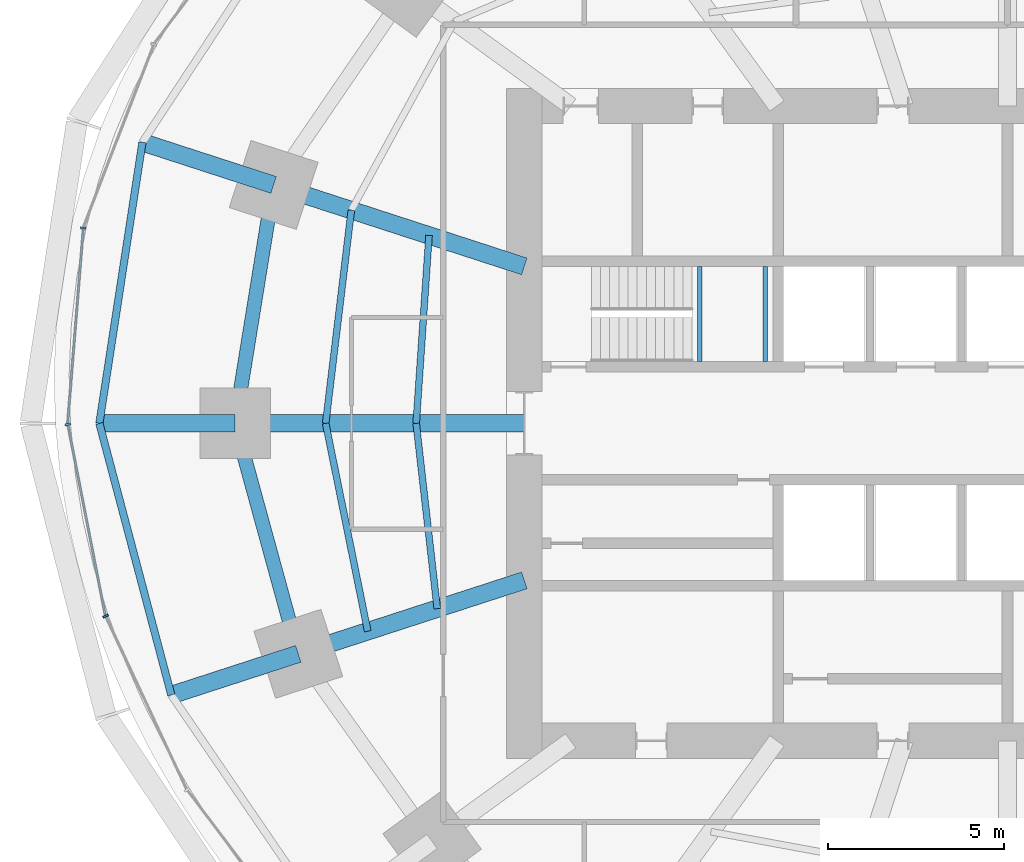
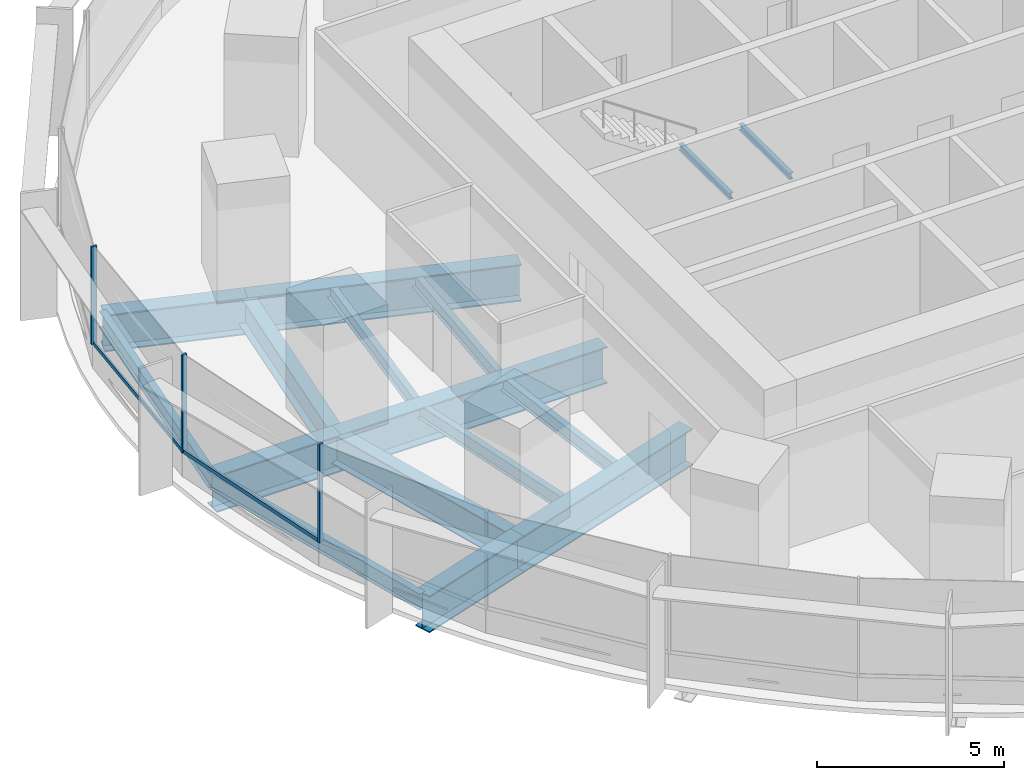
# One storey, part 4 of 15: 16 beams, 5 members, 2 elements without a shape of their own.
"""IFC4 building model written with IfcOpenShell, lengths in metres."""

import ifcopenshell
import ifcopenshell.guid

model = None  # the IFC model being written
_history = None  # IfcOwnerHistory: only IFC2X3 demands one
_inside = {}  # id of a spatial element -> (the spatial element, [elements in it])
_under = {}  # id of a project, library or spatial element -> (it, [spatial elements below it])
_declared = {}  # id of a project -> (the project, [libraries it declares])
_typed = {}  # id of a type object -> (the type object, [elements of that type])
_made_of = {}  # id of a material, layer set ... -> (it, [elements and type objects made of it])


def new_model(schema):
    """Start an empty IFC model of exactly this schema.

    Asked for "IFC4X3", IfcOpenShell would pick the latest addendum, in which some entities
    have other attributes; the version numbers below select the first issue.
    IFC2X3 requires an IfcOwnerHistory on every rooted entity: one is made here for all.
    """
    global model, _history
    if schema == "IFC4X3":
        model = ifcopenshell.file(schema_version=(4, 3, 0, 0))
    else:
        model = ifcopenshell.file(schema=schema)
    _inside.clear()
    _under.clear()
    _declared.clear()
    _typed.clear()
    _made_of.clear()
    _history = None
    if model.schema == "IFC2X3":
        org = make("IfcOrganization", Name="unknown")
        user = make(
            "IfcPersonAndOrganization",
            ThePerson=make("IfcPerson", FamilyName="unknown"),
            TheOrganization=org,
        )
        app = make(
            "IfcApplication",
            ApplicationDeveloper=org,
            Version="unknown",
            ApplicationFullName="unknown",
            ApplicationIdentifier="unknown",
        )
        _history = make(
            "IfcOwnerHistory",
            OwningUser=user,
            OwningApplication=app,
            ChangeAction="ADDED",
            CreationDate=0,
        )
    return model


def make(cls, **values):
    """One entity of the class cls with the attributes given. An attribute that is None is left unset."""
    return model.create_entity(
        cls, **{name: value for name, value in values.items() if value is not None}
    )


def rooted(cls, **values):
    """An entity with a GlobalId (a new one), such as an element, a storey or a relation."""
    return make(cls, GlobalId=ifcopenshell.guid.new(), OwnerHistory=_history, **values)


def si_unit(unit_type, name, prefix=None):
    """IfcSIUnit, for example si_unit("LENGTHUNIT", "METRE", prefix="MILLI")."""
    return make("IfcSIUnit", UnitType=unit_type, Prefix=prefix, Name=name)


def assignment(units):
    """IfcUnitAssignment: the units of a project."""
    return None if units is None else make("IfcUnitAssignment", Units=units)


def point(xyz):
    """IfcCartesianPoint."""
    return None if xyz is None else make("IfcCartesianPoint", Coordinates=xyz)


def direction(xyz):
    """IfcDirection."""
    return None if xyz is None else make("IfcDirection", DirectionRatios=xyz)


def frame(location, z_axis=None, x_axis=None):
    """IfcAxis2Placement3D, a coordinate frame: its origin and axes. An axis left out is left unset."""
    return make(
        "IfcAxis2Placement3D",
        Location=point(location),
        Axis=direction(z_axis),
        RefDirection=direction(x_axis),
    )


def frame_2d(location, x_axis=None):
    """IfcAxis2Placement2D, a coordinate frame in the plane: its origin and x axis."""
    return make(
        "IfcAxis2Placement2D", Location=point(location), RefDirection=direction(x_axis)
    )


def origin():
    """The frame at (0, 0, 0) with its axes left unset."""
    return frame((0.0, 0.0, 0.0))


def origin_2d():
    """The frame at (0, 0) in the plane with its x axis left unset."""
    return frame_2d((0.0, 0.0))


def place(relative_to, where):
    """IfcLocalPlacement: puts the frame where relative to a parent placement (None: the world)."""
    return make(
        "IfcLocalPlacement", PlacementRelTo=relative_to, RelativePlacement=where
    )


def context(
    kind, dimensions, precision=None, world=None, true_north=None, identifier=None
):
    """IfcGeometricRepresentationContext, for example the 3D "Model" context."""
    return make(
        "IfcGeometricRepresentationContext",
        ContextIdentifier=identifier,
        ContextType=kind,
        CoordinateSpaceDimension=dimensions,
        Precision=precision,
        WorldCoordinateSystem=world,
        TrueNorth=true_north,
    )


def subcontext(parent, identifier, kind, view, scale=None):
    """IfcGeometricRepresentationSubContext, for example "Body" below "Model"."""
    return make(
        "IfcGeometricRepresentationSubContext",
        ContextIdentifier=identifier,
        ContextType=kind,
        ParentContext=parent,
        TargetScale=scale,
        TargetView=view,
    )


def project(units=None, contexts=None):
    """IfcProject with its units and contexts."""
    return rooted(
        "IfcProject",
        Name="project",
        RepresentationContexts=contexts,
        UnitsInContext=assignment(units),
    )


def spatial(cls, under=None, at=None, **own):
    """A site, building, storey or space (cls), placed at a placement, below another one or the project."""
    s = rooted(cls, ObjectPlacement=at, **own)
    if under is not None:
        _under.setdefault(under.id(), (under, []))[1].append(s)
    return s


def profile(cls, at=None, kind="AREA", **sizes):
    """A parametric profile (cls). Its sizes go by their IFC names, for example OverallWidth=200.0."""
    return make(cls, ProfileType=kind, Position=at, **sizes)


def rectangle(**sizes):
    """IfcRectangleProfileDef."""
    return profile("IfcRectangleProfileDef", **sizes)


def i_section(**sizes):
    """IfcIShapeProfileDef."""
    return profile("IfcIShapeProfileDef", **sizes)


def extrude(swept, where, along, depth):
    """IfcExtrudedAreaSolid: the profile swept, set in the frame where, extruded along a direction by depth."""
    return make(
        "IfcExtrudedAreaSolid",
        SweptArea=swept,
        Position=where,
        ExtrudedDirection=direction(along),
        Depth=depth,
    )


def shape(context_of_items, identifier, shape_type, items):
    """IfcShapeRepresentation: the items that make up one representation, for example the "Body"."""
    return make(
        "IfcShapeRepresentation",
        ContextOfItems=context_of_items,
        RepresentationIdentifier=identifier,
        RepresentationType=shape_type,
        Items=items,
    )


def material(Name=None, Category=None):
    """IfcMaterial."""
    return make("IfcMaterial", Name=Name, Category=Category)


def material_profile(
    of_material, cross_section, Name=None, Category=None, Priority=None
):
    """IfcMaterialProfile: a cross section and its material."""
    return make(
        "IfcMaterialProfile",
        Name=Name,
        Material=of_material,
        Profile=cross_section,
        Priority=Priority,
        Category=Category,
    )


def profile_set(profiles, Name=None, composite=None):
    """IfcMaterialProfileSet."""
    return make(
        "IfcMaterialProfileSet",
        Name=Name,
        MaterialProfiles=profiles,
        CompositeProfile=composite,
    )


def made_of(thing, what):
    """Note that an element or type object is made of a material, layer set ...; save() writes the relation."""
    if what is not None:
        _made_of.setdefault(what.id(), (what, []))[1].append(thing)
    return thing


def type_object(cls, material=None, **own):
    """A type object (cls), such as IfcWallType, which elements share."""
    return made_of(rooted(cls, **own), material)


def element(
    cls,
    number,
    at=None,
    inside=None,
    cuts=None,
    type_object=None,
    material=None,
    context=None,
    identifier="Body",
    shape_type=None,
    held_by="IfcProductDefinitionShape",
    body=None,
    shapes=None,
    **own,
):
    """One element of the class cls, such as IfcWall. Its Tag is "e" and its number.

    at: its placement. inside: the storey or other place that contains it. cuts: it is an
    opening in that element (IfcRelVoidsElement). A single representation is given by context,
    identifier, shape_type and body (its items); several are given by shapes. held_by: the class
    of the entity that holds the representations. save() writes the other relations.
    """
    e = rooted(cls, Tag="e%d" % number, ObjectPlacement=at, **own)
    if body is not None:
        shapes = [shape(context, identifier, shape_type, body)]
    if shapes is not None:
        e.Representation = make(held_by, Representations=shapes)
    if inside is not None:
        _inside.setdefault(inside.id(), (inside, []))[1].append(e)
    if cuts is not None:
        rooted(
            "IfcRelVoidsElement", RelatingBuildingElement=cuts, RelatedOpeningElement=e
        )
    if type_object is not None:
        _typed.setdefault(type_object.id(), (type_object, []))[1].append(e)
    return made_of(e, material)


def aggregate(whole, parts):
    """IfcRelAggregates: a whole, such as a stair, and the parts it consists of."""
    return rooted("IfcRelAggregates", RelatingObject=whole, RelatedObjects=parts)


def save(model, path):
    """Write the relations noted so far, then the file.

    IfcRelAggregates (storeys below a building ...), IfcRelContainedInSpatialStructure (elements
    in a storey), IfcRelDefinesByType, IfcRelAssociatesMaterial and IfcRelDeclares: one each for
    every whole, place, type object, material and project.
    """
    for whole, parts in _under.values():
        aggregate(whole, parts)
    for where, things in _inside.values():
        rooted(
            "IfcRelContainedInSpatialStructure",
            RelatedElements=things,
            RelatingStructure=where,
        )
    for kind, things in _typed.values():
        rooted("IfcRelDefinesByType", RelatedObjects=things, RelatingType=kind)
    for what, things in _made_of.values():
        rooted("IfcRelAssociatesMaterial", RelatedObjects=things, RelatingMaterial=what)
    for by, libraries in _declared.values():
        rooted("IfcRelDeclares", RelatingContext=by, RelatedDefinitions=libraries)
    model.write(path)


model = new_model("IFC4")

# Units and contexts
model_context = context("Model", 3, precision=1e-05, world=origin(), true_north=direction((0.0, 1.0)))
body_context = subcontext(model_context, "Body", "Model", "MODEL_VIEW")
ifc_project = project(units=[si_unit("LENGTHUNIT", "METRE"), si_unit("AREAUNIT", "SQUARE_METRE"), si_unit("VOLUMEUNIT", "CUBIC_METRE"), si_unit("PLANEANGLEUNIT", "RADIAN"), si_unit("MASSUNIT", "GRAM", prefix="KILO")], contexts=[model_context])

# Site, building, storey
site_placement = place(None, origin())
site = spatial("IfcSite", under=ifc_project, at=site_placement, CompositionType="ELEMENT")
building_placement = place(site_placement, origin())
building = spatial("IfcBuilding", under=site, at=building_placement, Name="Marramba Exchange Tower", CompositionType="ELEMENT")
storey_placement = place(building_placement, frame((0.0, 0.0, 82.60009765625)))
storey = spatial("IfcBuildingStorey", under=building, at=storey_placement, Name="L19", CompositionType="ELEMENT", Elevation=82.60009765625)

# Beams
ifc_material_1 = material(Name="Steel AS/NZS 3679.2 grade 300", Category="steel")
ifc_material_profile_1 = material_profile(ifc_material_1, i_section(OverallWidth=0.5, OverallDepth=1.199951171875, WebThickness=0.01611328125, FlangeThickness=0.0400390625, at=origin_2d()), Name="1200WB455")
ifc_profile_set_1 = profile_set([ifc_material_profile_1], Name="Steel AS/NZS 3679.2 grade 300")
beam_type_1 = type_object("IfcBeamType", Name="Cantilever girder 1200WB455", PredefinedType="BEAM", material=ifc_profile_set_1)
beam_1_placement = place(storey_placement, frame((-20.808349609375, 6.760986328125, -0.760009765625), z_axis=(-0.951058833549, 0.309009862508, 0.0), x_axis=(-0.309009862508, -0.951058833549, 0.0)))
element("IfcBeam", 1, at=beam_1_placement, inside=storey, type_object=beam_type_1, Name="Cantilever girder L19 TC10", PredefinedType="BEAM", context=body_context, shape_type="SweptSolid", body=[
    extrude(i_section(OverallWidth=0.5, OverallDepth=1.199951171875, WebThickness=0.01611328125, FlangeThickness=0.0400390625, at=origin_2d()), origin(), (0.0, 0.0, 1.0), 3.91162109375),
])
beam_2_placement = place(storey_placement, frame((-21.89990234375, 0.0, -0.760009765625), z_axis=(-1.0, 0.0, 0.0), x_axis=(0.0, -1.0, 0.0)))
element("IfcBeam", 2, at=beam_2_placement, inside=storey, type_object=beam_type_1, Name="Cantilever girder L19 TC11", PredefinedType="BEAM", context=body_context, shape_type="SweptSolid", body=[
    extrude(i_section(OverallWidth=0.5, OverallDepth=1.199951171875, WebThickness=0.01611328125, FlangeThickness=0.0400390625, at=origin_2d()), origin(), (0.0, 0.0, 1.0), 3.85009765625),
])
beam_3_placement = place(storey_placement, frame((-20.109375, -6.533935546875, -0.760009765625), z_axis=(-0.951048759501, -0.309040866314, 0.0), x_axis=(0.309040866314, -0.951048759501, 0.0)))
element("IfcBeam", 3, at=beam_3_placement, inside=storey, type_object=beam_type_1, Name="Cantilever girder L19 TC12", PredefinedType="BEAM", context=body_context, shape_type="SweptSolid", body=[
    extrude(i_section(OverallWidth=0.5, OverallDepth=1.199951171875, WebThickness=0.01611328125, FlangeThickness=0.0400390625, at=origin_2d()), origin(), (0.0, 0.0, 1.0), 3.78564453125),
])
ifc_material_2 = material(Name="Steel AS/NZS 3679.1 grade 300", Category="steel")
ifc_material_profile_2 = material_profile(ifc_material_2, i_section(OverallWidth=0.18994140625, OverallDepth=0.4541015625, WebThickness=0.008544921875, FlangeThickness=0.0126953125, FilletRadius=0.011474609375, at=origin_2d()), Name="460UB67.1")
ifc_profile_set_2 = profile_set([ifc_material_profile_2], Name="Steel AS/NZS 3679.1 grade 300")
beam_type_2 = type_object("IfcBeamType", Name="Floor joist 460UB67.1", PredefinedType="JOIST", material=ifc_profile_set_2)
beam_4_placement = place(storey_placement, frame((-16.40283203125, 5.32958984375, -0.38720703125), z_axis=(-0.068096259546, -0.99767875563, 0.0), x_axis=(0.99767875563, -0.068096259546, 0.0)))
element("IfcBeam", 4, at=beam_4_placement, inside=storey, type_object=beam_type_2, Name="Joist L19 bay 10 row 1", PredefinedType="JOIST", context=body_context, shape_type="SweptSolid", body=[
    extrude(i_section(OverallWidth=0.18994140625, OverallDepth=0.4541015625, WebThickness=0.008544921875, FlangeThickness=0.0126953125, FilletRadius=0.011474609375, at=origin_2d()), origin(), (0.0, 0.0, 1.0), 5.342041015625),
])
beam_5_placement = place(storey_placement, frame((-18.60546875, 6.04541015625, -0.38720703125), z_axis=(-0.119523078538, -0.992831422597, 0.0), x_axis=(0.992831422597, -0.119523078538, 0.0)))
element("IfcBeam", 5, at=beam_5_placement, inside=storey, type_object=beam_type_2, Name="Joist L19 bay 10 row 2", PredefinedType="JOIST", context=body_context, shape_type="SweptSolid", body=[
    extrude(i_section(OverallWidth=0.18994140625, OverallDepth=0.4541015625, WebThickness=0.008544921875, FlangeThickness=0.0126953125, FilletRadius=0.011474609375, at=origin_2d()), origin(), (0.0, 0.0, 1.0), 6.089111328125),
])
beam_6_placement = place(storey_placement, frame((-16.7666015625, 0.0, -0.38720703125), z_axis=(0.112888968594, -0.993607609054, 0.0), x_axis=(0.993607609054, 0.112888968594, 0.0)))
element("IfcBeam", 6, at=beam_6_placement, inside=storey, type_object=beam_type_2, Name="Joist L19 bay 11 row 1", PredefinedType="JOIST", context=body_context, shape_type="SweptSolid", body=[
    extrude(i_section(OverallWidth=0.18994140625, OverallDepth=0.4541015625, WebThickness=0.008544921875, FlangeThickness=0.0126953125, FilletRadius=0.011474609375, at=origin_2d()), origin(), (0.0, 0.0, 1.0), 5.28759765625),
])
beam_7_placement = place(storey_placement, frame((-19.333251953125, 0.0, -0.38720703125), z_axis=(0.198489047047, -0.980103105904, 0.0), x_axis=(0.980103105904, 0.198489047047, 0.0)))
element("IfcBeam", 7, at=beam_7_placement, inside=storey, type_object=beam_type_2, Name="Joist L19 bay 11 row 2", PredefinedType="JOIST", context=body_context, shape_type="SweptSolid", body=[
    extrude(i_section(OverallWidth=0.18994140625, OverallDepth=0.4541015625, WebThickness=0.008544921875, FlangeThickness=0.0126953125, FilletRadius=0.011474609375, at=origin_2d()), origin(), (0.0, 0.0, 1.0), 6.013427734375),
])
ifc_material_profile_3 = material_profile(ifc_material_1, i_section(OverallWidth=0.5, OverallDepth=1.199951171875, WebThickness=0.01611328125, FlangeThickness=0.0400390625, at=origin_2d()), Name="1200WB455")
ifc_profile_set_3 = profile_set([ifc_material_profile_3], Name="Steel AS/NZS 3679.2 grade 300")
beam_type_3 = type_object("IfcBeamType", Name="Radial girder 1200WB455", PredefinedType="BEAM", material=ifc_profile_set_3)
beam_8_placement = place(storey_placement, frame((-13.699951171875, 4.451416015625, -0.760009765625), z_axis=(-0.951059990189, 0.309006302624, 0.0), x_axis=(-0.309006302624, -0.951059990189, 0.0)))
element("IfcBeam", 8, at=beam_8_placement, inside=storey, type_object=beam_type_3, Name="Radial girder L19 TC10", PredefinedType="BEAM", context=body_context, shape_type="SweptSolid", body=[
    extrude(i_section(OverallWidth=0.5, OverallDepth=1.199951171875, WebThickness=0.01611328125, FlangeThickness=0.0400390625, at=origin_2d()), origin(), (0.0, 0.0, 1.0), 7.47412109375),
])
beam_9_placement = place(storey_placement, frame((-13.699951171875, 0.0, -0.760009765625), z_axis=(-1.0, 0.0, 0.0), x_axis=(0.0, -1.0, 0.0)))
element("IfcBeam", 9, at=beam_9_placement, inside=storey, type_object=beam_type_3, Name="Radial girder L19 TC11", PredefinedType="BEAM", context=body_context, shape_type="SweptSolid", body=[
    extrude(i_section(OverallWidth=0.5, OverallDepth=1.199951171875, WebThickness=0.01611328125, FlangeThickness=0.0400390625, at=origin_2d()), origin(), (0.0, 0.0, 1.0), 8.199951171875),
])
beam_10_placement = place(storey_placement, frame((-13.699951171875, -4.451416015625, -0.760009765625), z_axis=(-0.951057759669, -0.309013167637, 0.0), x_axis=(0.309013167637, -0.951057759669, 0.0)))
element("IfcBeam", 10, at=beam_10_placement, inside=storey, type_object=beam_type_3, Name="Radial girder L19 TC12", PredefinedType="BEAM", context=body_context, shape_type="SweptSolid", body=[
    extrude(i_section(OverallWidth=0.5, OverallDepth=1.199951171875, WebThickness=0.01611328125, FlangeThickness=0.0400390625, at=origin_2d()), origin(), (0.0, 0.0, 1.0), 6.7392578125),
])
ifc_material_profile_4 = material_profile(ifc_material_1, i_section(OverallWidth=0.39990234375, OverallDepth=1.0, WebThickness=0.01611328125, FlangeThickness=0.031982421875, at=origin_2d()), Name="1000WB322")
ifc_profile_set_4 = profile_set([ifc_material_profile_4], Name="Steel AS/NZS 3679.2 grade 300")
beam_type_4 = type_object("IfcBeamType", Name="Ring beam 1000WB322", PredefinedType="SPANDREL", material=ifc_profile_set_4)
beam_11_placement = place(storey_placement, frame((-20.808349609375, 6.760986328125, -0.66015625), z_axis=(-0.159384865399, -0.987216523708, 0.0), x_axis=(0.987216523708, -0.159384865399, 0.0)))
element("IfcBeam", 11, at=beam_11_placement, inside=storey, type_object=beam_type_4, Name="Ring beam L19 TC10-TC11", PredefinedType="SPANDREL", context=body_context, shape_type="SweptSolid", body=[
    extrude(i_section(OverallWidth=0.39990234375, OverallDepth=1.0, WebThickness=0.01611328125, FlangeThickness=0.031982421875, at=origin_2d()), origin(), (0.0, 0.0, 1.0), 6.8486328125),
])
beam_12_placement = place(storey_placement, frame((-21.89990234375, 0.0, -0.66015625), z_axis=(0.264291166956, -0.964442937176, 0.0), x_axis=(0.964442937176, 0.264291166956, 0.0)))
element("IfcBeam", 12, at=beam_12_placement, inside=storey, type_object=beam_type_4, Name="Ring beam L19 TC11-TC12", PredefinedType="SPANDREL", context=body_context, shape_type="SweptSolid", body=[
    extrude(i_section(OverallWidth=0.39990234375, OverallDepth=1.0, WebThickness=0.01611328125, FlangeThickness=0.031982421875, at=origin_2d()), origin(), (0.0, 0.0, 1.0), 6.77490234375),
])
ifc_material_profile_5 = material_profile(ifc_material_2, i_section(OverallWidth=0.208984375, OverallDepth=0.528076171875, WebThickness=0.009521484375, FlangeThickness=0.01318359375, FilletRadius=0.013916015625, at=origin_2d()), Name="530UB82.0")
ifc_profile_set_5 = profile_set([ifc_material_profile_5], Name="Steel AS/NZS 3679.1 grade 300")
beam_type_5 = type_object("IfcBeamType", Name="Slab edge beam 530UB82.0", PredefinedType="SPANDREL", material=ifc_profile_set_5)
beam_13_placement = place(storey_placement, frame((-24.528564453125, 7.9697265625, -0.424072265625), z_axis=(-0.151490591645, -0.988458699513, 0.0), x_axis=(0.988458699513, -0.151490591645, 0.0)))
element("IfcBeam", 13, at=beam_13_placement, inside=storey, type_object=beam_type_5, Name="Slab edge beam L19 TC10-TC11", PredefinedType="SPANDREL", context=body_context, shape_type="SweptSolid", body=[
    extrude(i_section(OverallWidth=0.208984375, OverallDepth=0.528076171875, WebThickness=0.009521484375, FlangeThickness=0.01318359375, FilletRadius=0.013916015625, at=origin_2d()), origin(), (0.0, 0.0, 1.0), 8.062744140625),
])
beam_14_placement = place(storey_placement, frame((-25.75, 0.0, -0.424072265625), z_axis=(0.25601296674, -0.966673347549, 0.0), x_axis=(0.966673347549, 0.25601296674, 0.0)))
element("IfcBeam", 14, at=beam_14_placement, inside=storey, type_object=beam_type_5, Name="Slab edge beam L19 TC11-TC12", PredefinedType="SPANDREL", context=body_context, shape_type="SweptSolid", body=[
    extrude(i_section(OverallWidth=0.208984375, OverallDepth=0.528076171875, WebThickness=0.009521484375, FlangeThickness=0.01318359375, FilletRadius=0.013916015625, at=origin_2d()), origin(), (0.0, 0.0, 1.0), 7.969482421875),
])
ifc_material_profile_6 = material_profile(ifc_material_2, i_section(OverallWidth=0.133056640625, OverallDepth=0.202880859375, WebThickness=0.005859375, FlangeThickness=0.0078125, FilletRadius=0.0087890625, at=origin_2d()), Name="200UB25.4")
ifc_profile_set_6 = profile_set([ifc_material_profile_6], Name="Steel AS/NZS 3679.1 grade 300")
beam_type_6 = type_object("IfcBeamType", Name="Stair landing beam 200UB25.4", PredefinedType="BEAM", material=ifc_profile_set_6)
for number, where, z_axis, x_axis, name in (
    (15, (-8.723388671875, 1.75, 1.79833984375), (0.0, 1.0, 0.0), (-1.0, 0.0, 0.0), "Stair landing beam SLB1 ST1 L19 1"),
    (16, (-6.866455078125, 1.75, 1.79833984375), (0.0, 1.0, 0.0), (-1.0, 0.0, 0.0), "Stair landing beam SLB1 ST1 L19 2"),
):
    element("IfcBeam", number, at=place(storey_placement, frame(where, z_axis=z_axis, x_axis=x_axis)), inside=storey, type_object=beam_type_6, Name=name, PredefinedType="BEAM", context=body_context, shape_type="SweptSolid", body=[
        extrude(i_section(OverallWidth=0.133056640625, OverallDepth=0.202880859375, WebThickness=0.005859375, FlangeThickness=0.0078125, FilletRadius=0.0087890625, at=origin_2d()), origin(), (0.0, 0.0, 1.0), 2.699951171875),
    ])

# Curtain wall, member
ifc_material_3 = material(Name="Aluminium framing, bronze anodised", Category="aluminium")
curtain_wall_type = type_object("IfcCurtainWallType", Name="Trading floor ribbon curtain wall", PredefinedType="USERDEFINED", material=ifc_material_3)
curtain_wall_1_placement = place(storey_placement, origin())
curtain_wall_1 = element("IfcCurtainWall", 17, at=curtain_wall_1_placement, inside=storey, type_object=curtain_wall_type, Name="Curtain wall CW3 L19 F11-F15", ObjectType="RIBBON CURTAIN WALL", PredefinedType="USERDEFINED")
ifc_material_4 = material(Name="Aluminium mullion, bronze anodised", Category="aluminium")
ifc_material_profile_7 = material_profile(ifc_material_4, rectangle(XDim=0.159912109375, YDim=0.06005859375, at=origin_2d()), Name="CW3 mullion 60x160")
ifc_profile_set_7 = profile_set([ifc_material_profile_7], Name="Aluminium mullion, bronze anodised")
member_type_1 = type_object("IfcMemberType", Name="Trading floor ribbon curtain wall mullion", PredefinedType="MULLION", material=ifc_profile_set_7)
member_1_placement = place(storey_placement, frame((-26.203857421875, 5.539306640625, 0.7998046875), z_axis=(0.0, 0.0, 1.0), x_axis=(0.996772736434, -0.080275225953, 0.0)))
member_1 = element("IfcMember", 18, at=member_1_placement, type_object=member_type_1, Name="CW3 mullion 1", PredefinedType="MULLION", context=body_context, shape_type="SweptSolid", body=[
    extrude(rectangle(XDim=0.159912109375, YDim=0.06005859375, at=origin_2d()), origin(), (0.0, 0.0, 1.0), 3.2001953125),
])

# Curtain wall, members
curtain_wall_2_placement = place(storey_placement, origin())
curtain_wall_2 = element("IfcCurtainWall", 19, at=curtain_wall_2_placement, inside=storey, type_object=curtain_wall_type, Name="Curtain wall CW3 L19 F16-F20", ObjectType="RIBBON CURTAIN WALL", PredefinedType="USERDEFINED")
member_2_placement = place(storey_placement, frame((-26.644287109375, -0.029541015625, 0.7998046875), z_axis=(0.0, 0.0, 1.0), x_axis=(0.981346261612, 0.1922485756, 0.0)))
member_2 = element("IfcMember", 20, at=member_2_placement, type_object=member_type_1, Name="CW3 mullion 1", PredefinedType="MULLION", context=body_context, shape_type="SweptSolid", body=[
    extrude(rectangle(XDim=0.159912109375, YDim=0.06005859375, at=origin_2d()), origin(), (0.0, 0.0, 1.0), 3.2001953125),
])
member_3_placement = place(storey_placement, frame((-25.572021484375, -5.46533203125, 0.7998046875), z_axis=(0.0, 0.0, 1.0), x_axis=(0.905906758768, 0.423477206492, 0.0)))
member_3 = element("IfcMember", 21, at=member_3_placement, type_object=member_type_1, Name="CW3 mullion 1", PredefinedType="MULLION", context=body_context, shape_type="SweptSolid", body=[
    extrude(rectangle(XDim=0.159912109375, YDim=0.06005859375, at=origin_2d()), origin(), (0.0, 0.0, 1.0), 3.2001953125),
])

# Member
ifc_material_5 = material(Name="Aluminium transom, bronze anodised", Category="aluminium")
ifc_material_profile_8 = material_profile(ifc_material_5, rectangle(XDim=0.06005859375, YDim=0.1201171875, at=origin_2d()), Name="CW3 transom 60x120")
ifc_profile_set_8 = profile_set([ifc_material_profile_8], Name="Aluminium transom, bronze anodised")
member_type_2 = type_object("IfcMemberType", Name="Trading floor ribbon curtain wall transom", PredefinedType="USERDEFINED", material=ifc_profile_set_8)
member_4_placement = place(storey_placement, frame((-26.206298828125, 5.509521484375, 0.829833984375), z_axis=(-0.080256075865, -0.996774278504, 0.0), x_axis=(0.996774278504, -0.080256075865, 0.0)))
member_4 = element("IfcMember", 22, at=member_4_placement, type_object=member_type_2, Name="CW3 sill transom", ObjectType="TRANSOM", PredefinedType="USERDEFINED", context=body_context, shape_type="SweptSolid", body=[
    extrude(rectangle(XDim=0.06005859375, YDim=0.1201171875, at=origin_2d()), origin(), (0.0, 0.0, 1.0), 5.52734375),
])

aggregate(curtain_wall_1, [member_1, member_4])

member_5_placement = place(storey_placement, frame((-26.638427734375, -0.058837890625, 0.829833984375), z_axis=(0.192226081646, -0.981350667975, 0.0), x_axis=(0.981350667975, 0.192226081646, 0.0)))
member_5 = element("IfcMember", 23, at=member_5_placement, type_object=member_type_2, Name="CW3 sill transom", ObjectType="TRANSOM", PredefinedType="USERDEFINED", context=body_context, shape_type="SweptSolid", body=[
    extrude(rectangle(XDim=0.06005859375, YDim=0.1201171875, at=origin_2d()), origin(), (0.0, 0.0, 1.0), 5.481689453125),
])

aggregate(curtain_wall_2, [member_2, member_5, member_3])

save(model, "model.ifc")
